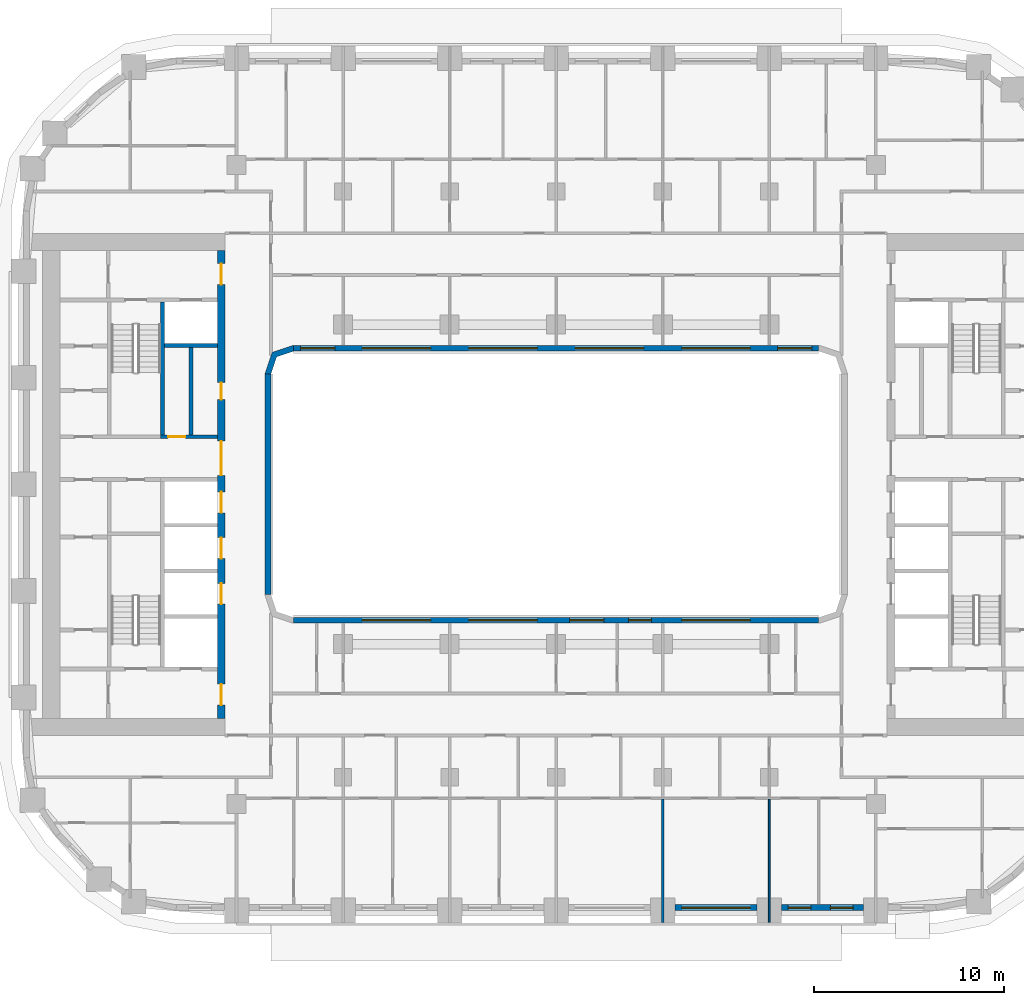
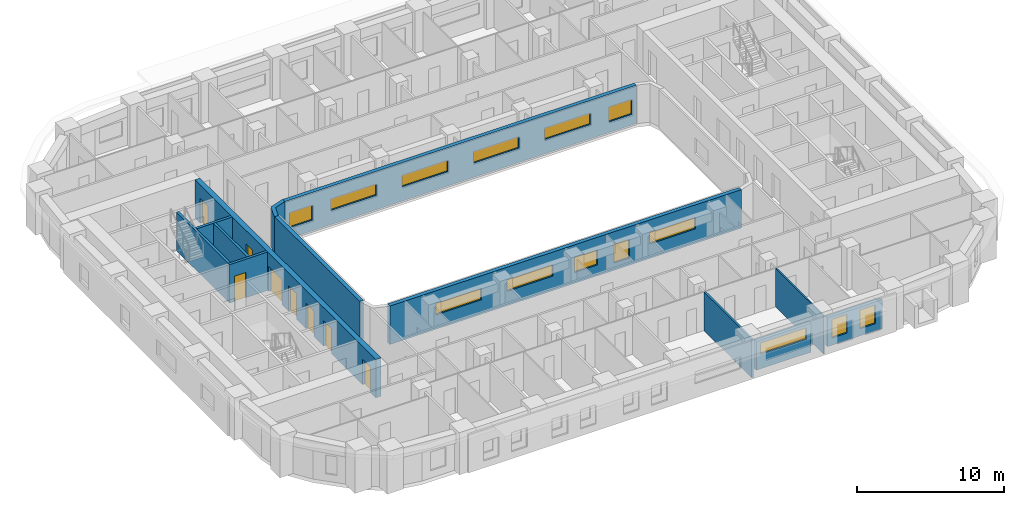
# One storey, part 5 of 23: 14 windows, 13 walls, 8 doors, 22 openings.
"""IFC4 building model written with IfcOpenShell, lengths in metres."""

from ifc_helpers import new_model, si_unit, direction, frame, frame_2d, origin, place, context, subcontext, project, spatial, polyline, rectangle, outline, extrude, material, layer, layer_set, type_object, element, fill, save


model = new_model("IFC4")

# Units and contexts
model_context = context("Model", 3, precision=1e-05, world=origin(), true_north=direction((0.0, 1.0)))
body_context = subcontext(model_context, "Body", "Model", "MODEL_VIEW")
ifc_project = project(units=[si_unit("LENGTHUNIT", "METRE"), si_unit("AREAUNIT", "SQUARE_METRE"), si_unit("VOLUMEUNIT", "CUBIC_METRE"), si_unit("PLANEANGLEUNIT", "RADIAN"), si_unit("MASSUNIT", "GRAM", prefix="KILO")], contexts=[model_context])

# Site, building, storey
site_placement = place(None, origin())
site = spatial("IfcSite", under=ifc_project, at=site_placement, CompositionType="ELEMENT")
building_placement = place(site_placement, origin())
building = spatial("IfcBuilding", under=site, at=building_placement, Name="Kiln Ring Residences", CompositionType="ELEMENT")
storey_placement = place(building_placement, frame((0.0, 0.0, 86.800048828125)))
storey = spatial("IfcBuildingStorey", under=building, at=storey_placement, Name="L21", CompositionType="ELEMENT", Elevation=86.800048828125)

# Wall
ifc_material_1 = material(Name="Gypsum board on steel studs", Category="steel")
ifc_layer_1 = layer(ifc_material_1, 0.199951171875)
ifc_layer_set_1 = layer_set([ifc_layer_1], Name="CORE-PARTITION-200")
wall_type_1 = type_object("IfcWallType", Name="CORE-PARTITION-200", PredefinedType="PARTITIONING", material=ifc_layer_set_1)
wall_1_placement = place(storey_placement, frame((-19.199951171875, 2.60009765625, 0.0), z_axis=(0.0, 0.0, 1.0), x_axis=(0.0, 1.0, 0.0)))
element("IfcWall", 1, at=wall_1_placement, inside=storey, type_object=wall_type_1, Name="Core partition west L21 3", PredefinedType="PARTITIONING", context=body_context, shape_type="SweptSolid", body=[
    extrude(rectangle(XDim=4.599853515625, YDim=0.199951171875, at=frame_2d((2.2998046875, 0.0))), origin(), (0.0, 0.0, 1.0), 3.199951171875),
])

# Wall, opening, door
ifc_material_2 = material(Name="Gypsum shaft wall system")
ifc_layer_2 = layer(ifc_material_2, 0.199951171875)
ifc_layer_set_2 = layer_set([ifc_layer_2], Name="CORE-SHAFT-WALL-200")
wall_type_2 = type_object("IfcWallType", Name="CORE-SHAFT-WALL-200", PredefinedType="PARTITIONING", material=ifc_layer_set_2)
wall_2_placement = place(storey_placement, frame((-17.800048828125, 2.5, 0.0), z_axis=(0.0, 0.0, 1.0), x_axis=(-1.0, 0.0, 0.0)))
wall_2 = element("IfcWall", 2, at=wall_2_placement, inside=storey, type_object=wall_type_2, Name="Core partition west L21 14", PredefinedType="PARTITIONING", context=body_context, shape_type="SweptSolid", body=[
    extrude(rectangle(XDim=3.0, YDim=0.199951171875, at=frame_2d((1.5, 0.0))), origin(), (0.0, 0.0, 1.0), 3.199951171875),
])
opening_1_placement = place(wall_2_placement, frame((1.699951171875, 0.0, 0.0)))
opening_1 = element("IfcOpeningElement", 3, at=opening_1_placement, cuts=wall_2, Name="Opening L21-CW06", PredefinedType="OPENING", context=body_context, shape_type="SweptSolid", body=[
    extrude(rectangle(XDim=0.89990234375, YDim=2.10009765625, at=frame_2d((0.449951171875, 1.050048828125))), frame((0.0, 0.10986328125, 0.0), z_axis=(0.0, -1.0, 0.0), x_axis=(1.0, 0.0, 0.0)), (0.0, 0.0, 1.0), 0.219970703125),
])
ifc_material_3 = material(Name="Steel door leaf", Category="steel")
door_type_1 = type_object("IfcDoorType", Name="CORE-DOOR-ROOM", OperationType="SINGLE_SWING_LEFT", PredefinedType="DOOR", material=ifc_material_3)
door_1_placement = place(opening_1_placement, origin())
door_1 = element("IfcDoor", 4, at=door_1_placement, inside=storey, type_object=door_type_1, Name="Cleaner's store L21-CW06", OperationType="SINGLE_SWING_LEFT", OverallHeight=2.10009765625, OverallWidth=0.89990234375, PredefinedType="DOOR", context=body_context, shape_type="SweptSolid", body=[
    extrude(rectangle(XDim=0.89990234375, YDim=2.10009765625, at=frame_2d((0.449951171875, 1.050048828125))), frame((0.0, 0.02490234375, 0.0), z_axis=(0.0, -1.0, 0.0), x_axis=(1.0, 0.0, 0.0)), (0.0, 0.0, 1.0), 0.050048828125),
])
fill(opening_1, door_1)

# Walls
wall_3_placement = place(storey_placement, frame((-17.800048828125, 7.300048828125, 0.0), z_axis=(0.0, 0.0, 1.0), x_axis=(-1.0, 0.0, 0.0)))
element("IfcWall", 5, at=wall_3_placement, inside=storey, type_object=wall_type_2, Name="Core partition west L21 15", PredefinedType="PARTITIONING", context=body_context, shape_type="SweptSolid", body=[
    extrude(rectangle(XDim=2.800048828125, YDim=0.199951171875, at=frame_2d((1.39990234375, 0.0))), origin(), (0.0, 0.0, 1.0), 3.199951171875),
])
ifc_material_4 = material(Name="Concrete C40/50", Category="concrete")
ifc_layer_3 = layer(ifc_material_4, 0.199951171875)
ifc_layer_set_3 = layer_set([ifc_layer_3], Name="CORE-WALL-RC200")
wall_type_3 = type_object("IfcWallType", Name="CORE-WALL-RC200", PredefinedType="SHEAR", material=ifc_layer_set_3)
wall_4_placement = place(storey_placement, frame((-20.699951171875, 2.60009765625, 0.0), z_axis=(0.0, 0.0, 1.0), x_axis=(0.0, 1.0, 0.0)))
element("IfcWall", 6, at=wall_4_placement, inside=storey, type_object=wall_type_3, Name="Core wall west L21 1", PredefinedType="SHEAR", context=body_context, shape_type="SweptSolid", body=[
    extrude(rectangle(XDim=7.0, YDim=0.199951171875, at=frame_2d((3.5, 0.0))), origin(), (0.0, 0.0, 1.0), 3.199951171875),
])

# Wall, openings, doors
ifc_material_5 = material(Name="Concrete C60/75", Category="concrete")
ifc_layer_4 = layer(ifc_material_5, 0.39990234375)
ifc_layer_set_4 = layer_set([ifc_layer_4], Name="CORE-WALL-RC400")
wall_type_4 = type_object("IfcWallType", Name="CORE-WALL-RC400", PredefinedType="SHEAR", material=ifc_layer_set_4)
wall_5_placement = place(storey_placement, frame((-17.60009765625, -12.300048828125, 0.0), z_axis=(0.0, 0.0, 1.0), x_axis=(0.0, 1.0, 0.0)))
wall_5 = element("IfcWall", 7, at=wall_5_placement, inside=storey, type_object=wall_type_4, Name="Core wall west L21 6", PredefinedType="SHEAR", context=body_context, shape_type="SweptSolid", body=[
    extrude(rectangle(XDim=24.60009765625, YDim=0.39990234375, at=frame_2d((12.300048828125, 0.0))), origin(), (0.0, 0.0, 1.0), 3.199951171875),
])
opening_2_placement = place(wall_5_placement, frame((6.0, 0.0, 0.0)))
opening_2 = element("IfcOpeningElement", 8, at=opening_2_placement, cuts=wall_5, Name="Opening L21-CW02", PredefinedType="OPENING", context=body_context, shape_type="SweptSolid", body=[
    extrude(rectangle(XDim=1.10009765625, YDim=2.10009765625, at=frame_2d((0.550048828125, 1.050048828125))), frame((0.0, 0.2099609375, 0.0), z_axis=(0.0, -1.0, 0.0), x_axis=(1.0, 0.0, 0.0)), (0.0, 0.0, 1.0), 0.419921875),
])
opening_3_placement = place(wall_5_placement, frame((8.39990234375, 0.0, 0.0)))
opening_3 = element("IfcOpeningElement", 9, at=opening_3_placement, cuts=wall_5, Name="Opening L21-CW03", PredefinedType="OPENING", context=body_context, shape_type="SweptSolid", body=[
    extrude(rectangle(XDim=1.10009765625, YDim=2.10009765625, at=frame_2d((0.550048828125, 1.050048828125))), frame((0.0, 0.2099609375, 0.0), z_axis=(0.0, -1.0, 0.0), x_axis=(1.0, 0.0, 0.0)), (0.0, 0.0, 1.0), 0.419921875),
])
opening_4_placement = place(wall_5_placement, frame((10.800048828125, 0.0, 0.0)))
opening_4 = element("IfcOpeningElement", 10, at=opening_4_placement, cuts=wall_5, Name="Opening L21-CW04", PredefinedType="OPENING", context=body_context, shape_type="SweptSolid", body=[
    extrude(rectangle(XDim=1.10009765625, YDim=2.10009765625, at=frame_2d((0.550048828125, 1.050048828125))), frame((0.0, 0.2099609375, 0.0), z_axis=(0.0, -1.0, 0.0), x_axis=(1.0, 0.0, 0.0)), (0.0, 0.0, 1.0), 0.419921875),
])
opening_5_placement = place(wall_5_placement, frame((16.75, 0.0, 0.0)))
opening_5 = element("IfcOpeningElement", 11, at=opening_5_placement, cuts=wall_5, Name="Opening L21-CW05", PredefinedType="OPENING", context=body_context, shape_type="SweptSolid", body=[
    extrude(rectangle(XDim=0.89990234375, YDim=2.10009765625, at=frame_2d((0.449951171875, 1.050048828125))), frame((0.0, 0.2099609375, 0.0), z_axis=(0.0, -1.0, 0.0), x_axis=(1.0, 0.0, 0.0)), (0.0, 0.0, 1.0), 0.419921875),
])
opening_6_placement = place(wall_5_placement, frame((22.800048828125, 0.0, 0.0)))
opening_6 = element("IfcOpeningElement", 12, at=opening_6_placement, cuts=wall_5, Name="Opening L21-CW08", PredefinedType="OPENING", context=body_context, shape_type="SweptSolid", body=[
    extrude(rectangle(XDim=1.10009765625, YDim=2.10009765625, at=frame_2d((0.550048828125, 1.050048828125))), frame((0.0, 0.2099609375, 0.0), z_axis=(0.0, -1.0, 0.0), x_axis=(1.0, 0.0, 0.0)), (0.0, 0.0, 1.0), 0.419921875),
])
opening_7_placement = place(wall_5_placement, frame((0.699951171875, 0.0, 0.0)))
opening_7 = element("IfcOpeningElement", 13, at=opening_7_placement, cuts=wall_5, Name="Opening L21-CW09", PredefinedType="OPENING", context=body_context, shape_type="SweptSolid", body=[
    extrude(rectangle(XDim=1.10009765625, YDim=2.10009765625, at=frame_2d((0.550048828125, 1.050048828125))), frame((0.0, 0.2099609375, 0.0), z_axis=(0.0, -1.0, 0.0), x_axis=(1.0, 0.0, 0.0)), (0.0, 0.0, 1.0), 0.419921875),
])
opening_8_placement = place(wall_5_placement, frame((12.77490234375, 0.0, 0.0)))
opening_8 = element("IfcOpeningElement", 14, at=opening_8_placement, cuts=wall_5, Name="Opening L21-CW14", PredefinedType="OPENING", context=body_context, shape_type="SweptSolid", body=[
    extrude(rectangle(XDim=1.800048828125, YDim=2.10009765625, at=frame_2d((0.89990234375, 1.050048828125))), frame((0.0, 0.2099609375, 0.0), z_axis=(0.0, -1.0, 0.0), x_axis=(1.0, 0.0, 0.0)), (0.0, 0.0, 1.0), 0.419921875),
])
ifc_material_6 = material(Name="Steel door leaf", Category="steel")
door_type_2 = type_object("IfcDoorType", Name="CORE-DOOR-LD", OperationType="DOUBLE_DOOR_SLIDING", PredefinedType="DOOR", material=ifc_material_6)
door_2_placement = place(opening_2_placement, origin())
door_2 = element("IfcDoor", 15, at=door_2_placement, inside=storey, type_object=door_type_2, Name="LD W-L1 L21-CW02", OperationType="DOUBLE_DOOR_SLIDING", OverallHeight=2.10009765625, OverallWidth=1.10009765625, PredefinedType="DOOR", context=body_context, shape_type="SweptSolid", body=[
    extrude(rectangle(XDim=1.10009765625, YDim=2.10009765625, at=frame_2d((0.550048828125, 1.050048828125))), frame((0.0, 0.02490234375, 0.0), z_axis=(0.0, -1.0, 0.0), x_axis=(1.0, 0.0, 0.0)), (0.0, 0.0, 1.0), 0.050048828125),
])
fill(opening_2, door_2)
door_3_placement = place(opening_3_placement, origin())
door_3 = element("IfcDoor", 16, at=door_3_placement, inside=storey, type_object=door_type_2, Name="LD W-L2 L21-CW03", OperationType="DOUBLE_DOOR_SLIDING", OverallHeight=2.10009765625, OverallWidth=1.10009765625, PredefinedType="DOOR", context=body_context, shape_type="SweptSolid", body=[
    extrude(rectangle(XDim=1.10009765625, YDim=2.10009765625, at=frame_2d((0.550048828125, 1.050048828125))), frame((0.0, 0.02490234375, 0.0), z_axis=(0.0, -1.0, 0.0), x_axis=(1.0, 0.0, 0.0)), (0.0, 0.0, 1.0), 0.050048828125),
])
fill(opening_3, door_3)
door_4_placement = place(opening_4_placement, origin())
door_4 = element("IfcDoor", 17, at=door_4_placement, inside=storey, type_object=door_type_2, Name="LD W-L3 L21-CW04", OperationType="DOUBLE_DOOR_SLIDING", OverallHeight=2.10009765625, OverallWidth=1.10009765625, PredefinedType="DOOR", context=body_context, shape_type="SweptSolid", body=[
    extrude(rectangle(XDim=1.10009765625, YDim=2.10009765625, at=frame_2d((0.550048828125, 1.050048828125))), frame((0.0, 0.02490234375, 0.0), z_axis=(0.0, -1.0, 0.0), x_axis=(1.0, 0.0, 0.0)), (0.0, 0.0, 1.0), 0.050048828125),
])
fill(opening_4, door_4)
ifc_material_7 = material(Name="Steel door leaf", Category="steel")
door_type_3 = type_object("IfcDoorType", Name="CORE-DOOR-LOBBY", OperationType="SINGLE_SWING_LEFT", PredefinedType="DOOR", material=ifc_material_7)
door_5_placement = place(opening_6_placement, origin())
door_5 = element("IfcDoor", 18, at=door_5_placement, inside=storey, type_object=door_type_3, Name="FFL L21-CW08", OperationType="SINGLE_SWING_LEFT", OverallHeight=2.10009765625, OverallWidth=1.10009765625, PredefinedType="DOOR", context=body_context, shape_type="SweptSolid", body=[
    extrude(rectangle(XDim=1.10009765625, YDim=2.10009765625, at=frame_2d((0.550048828125, 1.050048828125))), frame((0.0, 0.02490234375, 0.0), z_axis=(0.0, -1.0, 0.0), x_axis=(1.0, 0.0, 0.0)), (0.0, 0.0, 1.0), 0.050048828125),
])
fill(opening_6, door_5)
door_6_placement = place(opening_7_placement, origin())
door_6 = element("IfcDoor", 19, at=door_6_placement, inside=storey, type_object=door_type_3, Name="SVL L21-CW09", OperationType="SINGLE_SWING_RIGHT", OverallHeight=2.10009765625, OverallWidth=1.10009765625, PredefinedType="DOOR", context=body_context, shape_type="SweptSolid", body=[
    extrude(rectangle(XDim=1.10009765625, YDim=2.10009765625, at=frame_2d((0.550048828125, 1.050048828125))), frame((0.0, 0.02490234375, 0.0), z_axis=(0.0, -1.0, 0.0), x_axis=(1.0, 0.0, 0.0)), (0.0, 0.0, 1.0), 0.050048828125),
])
fill(opening_7, door_6)
ifc_material_8 = material(Name="Steel door leaf", Category="steel")
door_type_4 = type_object("IfcDoorType", Name="CORE-DOOR-PASS", OperationType="DOUBLE_DOOR_SINGLE_SWING", PredefinedType="DOOR", material=ifc_material_8)
door_7_placement = place(opening_8_placement, origin())
door_7 = element("IfcDoor", 20, at=door_7_placement, inside=storey, type_object=door_type_4, Name="Core passage L21-CW14", OperationType="DOUBLE_DOOR_SINGLE_SWING", OverallHeight=2.10009765625, OverallWidth=1.800048828125, PredefinedType="DOOR", context=body_context, shape_type="SweptSolid", body=[
    extrude(rectangle(XDim=1.800048828125, YDim=2.10009765625, at=frame_2d((0.89990234375, 1.050048828125))), frame((0.0, 0.02490234375, 0.0), z_axis=(0.0, -1.0, 0.0), x_axis=(1.0, 0.0, 0.0)), (0.0, 0.0, 1.0), 0.050048828125),
])
fill(opening_8, door_7)
door_8_placement = place(opening_5_placement, origin())
door_8 = element("IfcDoor", 21, at=door_8_placement, inside=storey, type_object=door_type_1, Name="Storage room L21-CW05", OperationType="SINGLE_SWING_LEFT", OverallHeight=2.10009765625, OverallWidth=0.89990234375, PredefinedType="DOOR", context=body_context, shape_type="SweptSolid", body=[
    extrude(rectangle(XDim=0.89990234375, YDim=2.10009765625, at=frame_2d((0.449951171875, 1.050048828125))), frame((0.0, 0.02490234375, 0.0), z_axis=(0.0, -1.0, 0.0), x_axis=(1.0, 0.0, 0.0)), (0.0, 0.0, 1.0), 0.050048828125),
])
fill(opening_5, door_8)

# Wall, opening, window
ifc_material_9 = material(Name="Brick masonry, dark clay brick", Category="masonry")
ifc_layer_5 = layer(ifc_material_9, 0.300048828125)
ifc_layer_set_5 = layer_set([ifc_layer_5], Name="EW-300 BRICK WALL")
wall_type_5 = type_object("IfcWallType", Name="EW-300 BRICK WALL", PredefinedType="SOLIDWALL", material=ifc_layer_set_5)
wall_6_placement = place(storey_placement, frame((6.25, -22.25, 0.0), z_axis=(0.0, 0.0, 1.0), x_axis=(1.0, 0.0, 0.0)))
wall_6 = element("IfcWall", 22, at=wall_6_placement, inside=storey, type_object=wall_type_5, Name="Facade wall L21 9", PredefinedType="SOLIDWALL", context=body_context, shape_type="SweptSolid", body=[
    extrude(rectangle(XDim=4.300048828125, YDim=0.300048828125, at=frame_2d((2.14990234375, 0.0))), origin(), (0.0, 0.0, 1.0), 2.39990234375),
])
opening_9_placement = place(wall_6_placement, frame((0.35009765625, 0.0, 1.199951171875)))
opening_9 = element("IfcOpeningElement", 23, at=opening_9_placement, cuts=wall_6, Name="Opening W4", PredefinedType="OPENING", context=body_context, shape_type="SweptSolid", body=[
    extrude(rectangle(XDim=3.60009765625, YDim=0.949951171875, at=frame_2d((1.800048828125, 0.47509765625))), frame((0.0, 0.159912109375, 0.0), z_axis=(0.0, -1.0, 0.0), x_axis=(1.0, 0.0, 0.0)), (0.0, 0.0, 1.0), 0.320068359375),
])
ifc_material_10 = material(Name="Aluminium frame with double glazing", Category="aluminium")
window_type_1 = type_object("IfcWindowType", Name="WINDOW 3600 x 950", PartitioningType="SINGLE_PANEL", PredefinedType="WINDOW", material=ifc_material_10)
window_1_placement = place(opening_9_placement, origin())
window_1 = element("IfcWindow", 24, at=window_1_placement, inside=storey, type_object=window_type_1, Name="Window L21 10", OverallHeight=0.949951171875, OverallWidth=3.60009765625, PartitioningType="SINGLE_PANEL", PredefinedType="WINDOW", context=body_context, shape_type="SweptSolid", body=[
    extrude(rectangle(XDim=3.60009765625, YDim=0.949951171875, at=frame_2d((1.800048828125, 0.47509765625))), frame((0.0, 0.030029296875, 0.0), z_axis=(0.0, -1.0, 0.0), x_axis=(1.0, 0.0, 0.0)), (0.0, 0.0, 1.0), 0.06005859375),
])
fill(opening_9, window_1)

# Wall, openings, windows
wall_7_placement = place(storey_placement, frame((11.85009765625, -22.25, 0.0), z_axis=(0.0, 0.0, 1.0), x_axis=(1.0, 0.0, 0.0)))
wall_7 = element("IfcWall", 25, at=wall_7_placement, inside=storey, type_object=wall_type_5, Name="Facade wall L21 10", PredefinedType="SOLIDWALL", context=body_context, shape_type="SweptSolid", body=[
    extrude(rectangle(XDim=4.2998046875, YDim=0.300048828125, at=frame_2d((2.14990234375, 0.0))), origin(), (0.0, 0.0, 1.0), 2.39990234375),
])
opening_10_placement = place(wall_7_placement, frame((0.33740234375, 0.0, 0.60009765625)))
opening_10 = element("IfcOpeningElement", 26, at=opening_10_placement, cuts=wall_7, Name="Opening W1", PredefinedType="OPENING", context=body_context, shape_type="SweptSolid", body=[
    extrude(rectangle(XDim=1.199951171875, YDim=1.550048828125, at=frame_2d((0.60009765625, 0.77490234375))), frame((0.0, 0.159912109375, 0.0), z_axis=(0.0, -1.0, 0.0), x_axis=(1.0, 0.0, 0.0)), (0.0, 0.0, 1.0), 0.320068359375),
])
opening_11_placement = place(wall_7_placement, frame((2.5625, 0.0, 0.60009765625)))
opening_11 = element("IfcOpeningElement", 27, at=opening_11_placement, cuts=wall_7, Name="Opening W1", PredefinedType="OPENING", context=body_context, shape_type="SweptSolid", body=[
    extrude(rectangle(XDim=1.199951171875, YDim=1.550048828125, at=frame_2d((0.60009765625, 0.77490234375))), frame((0.0, 0.159912109375, 0.0), z_axis=(0.0, -1.0, 0.0), x_axis=(1.0, 0.0, 0.0)), (0.0, 0.0, 1.0), 0.320068359375),
])
ifc_material_11 = material(Name="Aluminium frame with double glazing", Category="aluminium")
window_type_2 = type_object("IfcWindowType", Name="WINDOW 1200 x 1550", PartitioningType="SINGLE_PANEL", PredefinedType="WINDOW", material=ifc_material_11)
window_2_placement = place(opening_10_placement, origin())
window_2 = element("IfcWindow", 28, at=window_2_placement, inside=storey, type_object=window_type_2, Name="Window L21 11", OverallHeight=1.550048828125, OverallWidth=1.199951171875, PartitioningType="SINGLE_PANEL", PredefinedType="WINDOW", context=body_context, shape_type="SweptSolid", body=[
    extrude(rectangle(XDim=1.199951171875, YDim=1.550048828125, at=frame_2d((0.60009765625, 0.77490234375))), frame((0.0, 0.030029296875, 0.0), z_axis=(0.0, -1.0, 0.0), x_axis=(1.0, 0.0, 0.0)), (0.0, 0.0, 1.0), 0.06005859375),
])
fill(opening_10, window_2)
window_3_placement = place(opening_11_placement, origin())
window_3 = element("IfcWindow", 29, at=window_3_placement, inside=storey, type_object=window_type_2, Name="Window L21 12", OverallHeight=1.550048828125, OverallWidth=1.199951171875, PartitioningType="SINGLE_PANEL", PredefinedType="WINDOW", context=body_context, shape_type="SweptSolid", body=[
    extrude(rectangle(XDim=1.199951171875, YDim=1.550048828125, at=frame_2d((0.60009765625, 0.77490234375))), frame((0.0, 0.030029296875, 0.0), z_axis=(0.0, -1.0, 0.0), x_axis=(1.0, 0.0, 0.0)), (0.0, 0.0, 1.0), 0.06005859375),
])
fill(opening_11, window_3)

# Wall
wall_8_placement = place(storey_placement, frame((-15.14990234375, -5.800048828125, 0.0), z_axis=(0.0, 0.0, 1.0), x_axis=(0.0, 1.0, 0.0)))
element("IfcWall", 30, at=wall_8_placement, inside=storey, type_object=wall_type_5, Name="Facade wall L21 49", PredefinedType="SOLIDWALL", context=body_context, shape_type="SweptSolid", body=[
    extrude(rectangle(XDim=11.60009765625, YDim=0.300048828125, at=frame_2d((5.800048828125, 0.0))), origin(), (0.0, 0.0, 1.0), 3.199951171875),
])

# Wall, openings, windows
wall_9_placement = place(storey_placement, frame((-13.800048828125, 7.14990234375, 0.0), z_axis=(0.0, 0.0, 1.0), x_axis=(1.0, 0.0, 0.0)))
wall_9 = element("IfcWall", 31, at=wall_9_placement, inside=storey, type_object=wall_type_5, Name="Facade wall L21 50", PredefinedType="SOLIDWALL", context=body_context, shape_type="SweptSolid", body=[
    extrude(rectangle(XDim=27.60009765625, YDim=0.300048828125, at=frame_2d((13.800048828125, 0.0))), origin(), (0.0, 0.0, 1.0), 3.199951171875),
])
opening_12_placement = place(wall_9_placement, frame((0.362548828125, 0.0, 0.89990234375)))
opening_12 = element("IfcOpeningElement", 32, at=opening_12_placement, cuts=wall_9, Name="Opening W2", PredefinedType="OPENING", context=body_context, shape_type="SweptSolid", body=[
    extrude(rectangle(XDim=1.800048828125, YDim=1.25, at=frame_2d((0.89990234375, 0.625))), frame((0.0, 0.159912109375, 0.0), z_axis=(0.0, -1.0, 0.0), x_axis=(1.0, 0.0, 0.0)), (0.0, 0.0, 1.0), 0.320068359375),
])
opening_13_placement = place(wall_9_placement, frame((3.60009765625, 0.0, 1.199951171875)))
opening_13 = element("IfcOpeningElement", 33, at=opening_13_placement, cuts=wall_9, Name="Opening W4", PredefinedType="OPENING", context=body_context, shape_type="SweptSolid", body=[
    extrude(rectangle(XDim=3.60009765625, YDim=0.949951171875, at=frame_2d((1.800048828125, 0.47509765625))), frame((0.0, 0.159912109375, 0.0), z_axis=(0.0, -1.0, 0.0), x_axis=(1.0, 0.0, 0.0)), (0.0, 0.0, 1.0), 0.320068359375),
])
opening_14_placement = place(wall_9_placement, frame((9.199951171875, 0.0, 1.199951171875)))
opening_14 = element("IfcOpeningElement", 34, at=opening_14_placement, cuts=wall_9, Name="Opening W4", PredefinedType="OPENING", context=body_context, shape_type="SweptSolid", body=[
    extrude(rectangle(XDim=3.60009765625, YDim=0.949951171875, at=frame_2d((1.800048828125, 0.47509765625))), frame((0.0, 0.159912109375, 0.0), z_axis=(0.0, -1.0, 0.0), x_axis=(1.0, 0.0, 0.0)), (0.0, 0.0, 1.0), 0.320068359375),
])
opening_15_placement = place(wall_9_placement, frame((14.800048828125, 0.0, 1.199951171875)))
opening_15 = element("IfcOpeningElement", 35, at=opening_15_placement, cuts=wall_9, Name="Opening W4", PredefinedType="OPENING", context=body_context, shape_type="SweptSolid", body=[
    extrude(rectangle(XDim=3.60009765625, YDim=0.949951171875, at=frame_2d((1.800048828125, 0.47509765625))), frame((0.0, 0.159912109375, 0.0), z_axis=(0.0, -1.0, 0.0), x_axis=(1.0, 0.0, 0.0)), (0.0, 0.0, 1.0), 0.320068359375),
])
opening_16_placement = place(wall_9_placement, frame((20.39990234375, 0.0, 1.199951171875)))
opening_16 = element("IfcOpeningElement", 36, at=opening_16_placement, cuts=wall_9, Name="Opening W4", PredefinedType="OPENING", context=body_context, shape_type="SweptSolid", body=[
    extrude(rectangle(XDim=3.60009765625, YDim=0.949951171875, at=frame_2d((1.800048828125, 0.47509765625))), frame((0.0, 0.159912109375, 0.0), z_axis=(0.0, -1.0, 0.0), x_axis=(1.0, 0.0, 0.0)), (0.0, 0.0, 1.0), 0.320068359375),
])
opening_17_placement = place(wall_9_placement, frame((25.4375, 0.0, 0.89990234375)))
opening_17 = element("IfcOpeningElement", 37, at=opening_17_placement, cuts=wall_9, Name="Opening W2", PredefinedType="OPENING", context=body_context, shape_type="SweptSolid", body=[
    extrude(rectangle(XDim=1.800048828125, YDim=1.25, at=frame_2d((0.89990234375, 0.625))), frame((0.0, 0.159912109375, 0.0), z_axis=(0.0, -1.0, 0.0), x_axis=(1.0, 0.0, 0.0)), (0.0, 0.0, 1.0), 0.320068359375),
])
ifc_material_12 = material(Name="Aluminium frame with double glazing", Category="aluminium")
window_type_3 = type_object("IfcWindowType", Name="WINDOW 1800 x 1250", PartitioningType="SINGLE_PANEL", PredefinedType="WINDOW", material=ifc_material_12)
window_4_placement = place(opening_12_placement, origin())
window_4 = element("IfcWindow", 38, at=window_4_placement, inside=storey, type_object=window_type_3, Name="Window L21 29", OverallHeight=1.25, OverallWidth=1.800048828125, PartitioningType="SINGLE_PANEL", PredefinedType="WINDOW", context=body_context, shape_type="SweptSolid", body=[
    extrude(rectangle(XDim=1.800048828125, YDim=1.25, at=frame_2d((0.89990234375, 0.625))), frame((0.0, 0.030029296875, 0.0), z_axis=(0.0, -1.0, 0.0), x_axis=(1.0, 0.0, 0.0)), (0.0, 0.0, 1.0), 0.06005859375),
])
fill(opening_12, window_4)
window_5_placement = place(opening_17_placement, origin())
window_5 = element("IfcWindow", 39, at=window_5_placement, inside=storey, type_object=window_type_3, Name="Window L21 34", OverallHeight=1.25, OverallWidth=1.800048828125, PartitioningType="SINGLE_PANEL", PredefinedType="WINDOW", context=body_context, shape_type="SweptSolid", body=[
    extrude(rectangle(XDim=1.800048828125, YDim=1.25, at=frame_2d((0.89990234375, 0.625))), frame((0.0, 0.030029296875, 0.0), z_axis=(0.0, -1.0, 0.0), x_axis=(1.0, 0.0, 0.0)), (0.0, 0.0, 1.0), 0.06005859375),
])
fill(opening_17, window_5)
window_6_placement = place(opening_13_placement, origin())
window_6 = element("IfcWindow", 40, at=window_6_placement, inside=storey, type_object=window_type_1, Name="Window L21 30", OverallHeight=0.949951171875, OverallWidth=3.60009765625, PartitioningType="SINGLE_PANEL", PredefinedType="WINDOW", context=body_context, shape_type="SweptSolid", body=[
    extrude(rectangle(XDim=3.60009765625, YDim=0.949951171875, at=frame_2d((1.800048828125, 0.47509765625))), frame((0.0, 0.030029296875, 0.0), z_axis=(0.0, -1.0, 0.0), x_axis=(1.0, 0.0, 0.0)), (0.0, 0.0, 1.0), 0.06005859375),
])
fill(opening_13, window_6)
window_7_placement = place(opening_14_placement, origin())
window_7 = element("IfcWindow", 41, at=window_7_placement, inside=storey, type_object=window_type_1, Name="Window L21 31", OverallHeight=0.949951171875, OverallWidth=3.60009765625, PartitioningType="SINGLE_PANEL", PredefinedType="WINDOW", context=body_context, shape_type="SweptSolid", body=[
    extrude(rectangle(XDim=3.60009765625, YDim=0.949951171875, at=frame_2d((1.800048828125, 0.47509765625))), frame((0.0, 0.030029296875, 0.0), z_axis=(0.0, -1.0, 0.0), x_axis=(1.0, 0.0, 0.0)), (0.0, 0.0, 1.0), 0.06005859375),
])
fill(opening_14, window_7)
window_8_placement = place(opening_15_placement, origin())
window_8 = element("IfcWindow", 42, at=window_8_placement, inside=storey, type_object=window_type_1, Name="Window L21 32", OverallHeight=0.949951171875, OverallWidth=3.60009765625, PartitioningType="SINGLE_PANEL", PredefinedType="WINDOW", context=body_context, shape_type="SweptSolid", body=[
    extrude(rectangle(XDim=3.60009765625, YDim=0.949951171875, at=frame_2d((1.800048828125, 0.47509765625))), frame((0.0, 0.030029296875, 0.0), z_axis=(0.0, -1.0, 0.0), x_axis=(1.0, 0.0, 0.0)), (0.0, 0.0, 1.0), 0.06005859375),
])
fill(opening_15, window_8)
window_9_placement = place(opening_16_placement, origin())
window_9 = element("IfcWindow", 43, at=window_9_placement, inside=storey, type_object=window_type_1, Name="Window L21 33", OverallHeight=0.949951171875, OverallWidth=3.60009765625, PartitioningType="SINGLE_PANEL", PredefinedType="WINDOW", context=body_context, shape_type="SweptSolid", body=[
    extrude(rectangle(XDim=3.60009765625, YDim=0.949951171875, at=frame_2d((1.800048828125, 0.47509765625))), frame((0.0, 0.030029296875, 0.0), z_axis=(0.0, -1.0, 0.0), x_axis=(1.0, 0.0, 0.0)), (0.0, 0.0, 1.0), 0.06005859375),
])
fill(opening_16, window_9)

wall_10_placement = place(storey_placement, frame((13.800048828125, -7.14990234375, 0.0), z_axis=(0.0, 0.0, 1.0), x_axis=(-1.0, 0.0, 0.0)))
wall_10 = element("IfcWall", 44, at=wall_10_placement, inside=storey, type_object=wall_type_5, Name="Facade wall L21 52", PredefinedType="SOLIDWALL", context=body_context, shape_type="SweptSolid", body=[
    extrude(rectangle(XDim=27.60009765625, YDim=0.300048828125, at=frame_2d((13.800048828125, 0.0))), origin(), (0.0, 0.0, 1.0), 3.199951171875),
])
opening_18_placement = place(wall_10_placement, frame((3.60009765625, 0.0, 1.199951171875)))
opening_18 = element("IfcOpeningElement", 45, at=opening_18_placement, cuts=wall_10, Name="Opening W4", PredefinedType="OPENING", context=body_context, shape_type="SweptSolid", body=[
    extrude(rectangle(XDim=3.60009765625, YDim=0.949951171875, at=frame_2d((1.800048828125, 0.47509765625))), frame((0.0, 0.159912109375, 0.0), z_axis=(0.0, -1.0, 0.0), x_axis=(1.0, 0.0, 0.0)), (0.0, 0.0, 1.0), 0.320068359375),
])
opening_19_placement = place(wall_10_placement, frame((8.800048828125, 0.0, 0.60009765625)))
opening_19 = element("IfcOpeningElement", 46, at=opening_19_placement, cuts=wall_10, Name="Opening W1", PredefinedType="OPENING", context=body_context, shape_type="SweptSolid", body=[
    extrude(rectangle(XDim=1.199951171875, YDim=1.550048828125, at=frame_2d((0.60009765625, 0.77490234375))), frame((0.0, 0.159912109375, 0.0), z_axis=(0.0, -1.0, 0.0), x_axis=(1.0, 0.0, 0.0)), (0.0, 0.0, 1.0), 0.320068359375),
])
opening_20_placement = place(wall_10_placement, frame((11.300048828125, 0.0, 0.89990234375)))
opening_20 = element("IfcOpeningElement", 47, at=opening_20_placement, cuts=wall_10, Name="Opening W2", PredefinedType="OPENING", context=body_context, shape_type="SweptSolid", body=[
    extrude(rectangle(XDim=1.800048828125, YDim=1.25, at=frame_2d((0.89990234375, 0.625))), frame((0.0, 0.159912109375, 0.0), z_axis=(0.0, -1.0, 0.0), x_axis=(1.0, 0.0, 0.0)), (0.0, 0.0, 1.0), 0.320068359375),
])
opening_21_placement = place(wall_10_placement, frame((14.800048828125, 0.0, 1.199951171875)))
opening_21 = element("IfcOpeningElement", 48, at=opening_21_placement, cuts=wall_10, Name="Opening W4", PredefinedType="OPENING", context=body_context, shape_type="SweptSolid", body=[
    extrude(rectangle(XDim=3.60009765625, YDim=0.949951171875, at=frame_2d((1.800048828125, 0.47509765625))), frame((0.0, 0.159912109375, 0.0), z_axis=(0.0, -1.0, 0.0), x_axis=(1.0, 0.0, 0.0)), (0.0, 0.0, 1.0), 0.320068359375),
])
opening_22_placement = place(wall_10_placement, frame((20.39990234375, 0.0, 1.199951171875)))
opening_22 = element("IfcOpeningElement", 49, at=opening_22_placement, cuts=wall_10, Name="Opening W4", PredefinedType="OPENING", context=body_context, shape_type="SweptSolid", body=[
    extrude(rectangle(XDim=3.60009765625, YDim=0.949951171875, at=frame_2d((1.800048828125, 0.47509765625))), frame((0.0, 0.159912109375, 0.0), z_axis=(0.0, -1.0, 0.0), x_axis=(1.0, 0.0, 0.0)), (0.0, 0.0, 1.0), 0.320068359375),
])
window_10_placement = place(opening_19_placement, origin())
window_10 = element("IfcWindow", 50, at=window_10_placement, inside=storey, type_object=window_type_2, Name="Window L21 36", OverallHeight=1.550048828125, OverallWidth=1.199951171875, PartitioningType="SINGLE_PANEL", PredefinedType="WINDOW", context=body_context, shape_type="SweptSolid", body=[
    extrude(rectangle(XDim=1.199951171875, YDim=1.550048828125, at=frame_2d((0.60009765625, 0.77490234375))), frame((0.0, 0.030029296875, 0.0), z_axis=(0.0, -1.0, 0.0), x_axis=(1.0, 0.0, 0.0)), (0.0, 0.0, 1.0), 0.06005859375),
])
fill(opening_19, window_10)
window_11_placement = place(opening_20_placement, origin())
window_11 = element("IfcWindow", 51, at=window_11_placement, inside=storey, type_object=window_type_3, Name="Window L21 37", OverallHeight=1.25, OverallWidth=1.800048828125, PartitioningType="SINGLE_PANEL", PredefinedType="WINDOW", context=body_context, shape_type="SweptSolid", body=[
    extrude(rectangle(XDim=1.800048828125, YDim=1.25, at=frame_2d((0.89990234375, 0.625))), frame((0.0, 0.030029296875, 0.0), z_axis=(0.0, -1.0, 0.0), x_axis=(1.0, 0.0, 0.0)), (0.0, 0.0, 1.0), 0.06005859375),
])
fill(opening_20, window_11)
window_12_placement = place(opening_18_placement, origin())
window_12 = element("IfcWindow", 52, at=window_12_placement, inside=storey, type_object=window_type_1, Name="Window L21 35", OverallHeight=0.949951171875, OverallWidth=3.60009765625, PartitioningType="SINGLE_PANEL", PredefinedType="WINDOW", context=body_context, shape_type="SweptSolid", body=[
    extrude(rectangle(XDim=3.60009765625, YDim=0.949951171875, at=frame_2d((1.800048828125, 0.47509765625))), frame((0.0, 0.030029296875, 0.0), z_axis=(0.0, -1.0, 0.0), x_axis=(1.0, 0.0, 0.0)), (0.0, 0.0, 1.0), 0.06005859375),
])
fill(opening_18, window_12)
window_13_placement = place(opening_21_placement, origin())
window_13 = element("IfcWindow", 53, at=window_13_placement, inside=storey, type_object=window_type_1, Name="Window L21 38", OverallHeight=0.949951171875, OverallWidth=3.60009765625, PartitioningType="SINGLE_PANEL", PredefinedType="WINDOW", context=body_context, shape_type="SweptSolid", body=[
    extrude(rectangle(XDim=3.60009765625, YDim=0.949951171875, at=frame_2d((1.800048828125, 0.47509765625))), frame((0.0, 0.030029296875, 0.0), z_axis=(0.0, -1.0, 0.0), x_axis=(1.0, 0.0, 0.0)), (0.0, 0.0, 1.0), 0.06005859375),
])
fill(opening_21, window_13)
window_14_placement = place(opening_22_placement, origin())
window_14 = element("IfcWindow", 54, at=window_14_placement, inside=storey, type_object=window_type_1, Name="Window L21 39", OverallHeight=0.949951171875, OverallWidth=3.60009765625, PartitioningType="SINGLE_PANEL", PredefinedType="WINDOW", context=body_context, shape_type="SweptSolid", body=[
    extrude(rectangle(XDim=3.60009765625, YDim=0.949951171875, at=frame_2d((1.800048828125, 0.47509765625))), frame((0.0, 0.030029296875, 0.0), z_axis=(0.0, -1.0, 0.0), x_axis=(1.0, 0.0, 0.0)), (0.0, 0.0, 1.0), 0.06005859375),
])
fill(opening_22, window_14)

# Walls
wall_11_placement = place(storey_placement, origin())
element("IfcWall", 55, at=wall_11_placement, inside=storey, type_object=wall_type_5, Name="Corner wall L21 1", PredefinedType="SOLIDWALL", context=body_context, shape_type="SweptSolid", body=[
    extrude(outline(polyline([(-13.8486328125, 7.300048828125), (-14.937255859375, 6.937255859375), (-15.300048828125, 5.8486328125), (-15.300048828125, 5.800048828125), (-15.0, 5.800048828125), (-14.699951171875, 6.699951171875), (-13.800048828125, 7.0), (-13.800048828125, 7.300048828125), (-13.8486328125, 7.300048828125)])), origin(), (0.0, 0.0, 1.0), 3.199951171875),
])
ifc_material_13 = material(Name="Gypsum board on steel studs", Category="steel")
ifc_layer_6 = layer(ifc_material_13, 0.10009765625)
ifc_layer_set_6 = layer_set([ifc_layer_6], Name="PARTITION-100")
wall_type_6 = type_object("IfcWallType", Name="PARTITION-100", PredefinedType="PARTITIONING", material=ifc_layer_set_6)
wall_12_placement = place(storey_placement, frame((11.199951171875, -23.030029296875, 0.0), z_axis=(0.0, 0.0, 1.0), x_axis=(0.0, 1.0, 0.0)))
element("IfcWall", 56, at=wall_12_placement, inside=storey, type_object=wall_type_6, Name="Partition 064", PredefinedType="PARTITIONING", context=body_context, shape_type="SweptSolid", body=[
    extrude(rectangle(XDim=6.47998046875, YDim=0.10009765625, at=frame_2d((3.239990234375, 0.0))), origin(), (0.0, 0.0, 1.0), 3.199951171875),
])
ifc_material_14 = material(Name="Brick masonry partition", Category="masonry")
ifc_layer_7 = layer(ifc_material_14, 0.14990234375)
ifc_layer_set_7 = layer_set([ifc_layer_7], Name="PARTITION-150-ei60")
wall_type_7 = type_object("IfcWallType", Name="PARTITION-150-ei60", PredefinedType="PARTITIONING", material=ifc_layer_set_7)
wall_13_placement = place(storey_placement, frame((5.60009765625, -23.030029296875, 0.0), z_axis=(0.0, 0.0, 1.0), x_axis=(0.0, 1.0, 0.0)))
element("IfcWall", 57, at=wall_13_placement, inside=storey, type_object=wall_type_7, Name="Partition 059", PredefinedType="PARTITIONING", context=body_context, shape_type="SweptSolid", body=[
    extrude(rectangle(XDim=6.47998046875, YDim=0.14990234375, at=frame_2d((3.239990234375, 0.0))), origin(), (0.0, 0.0, 1.0), 3.199951171875),
])

save(model, "model.ifc")
